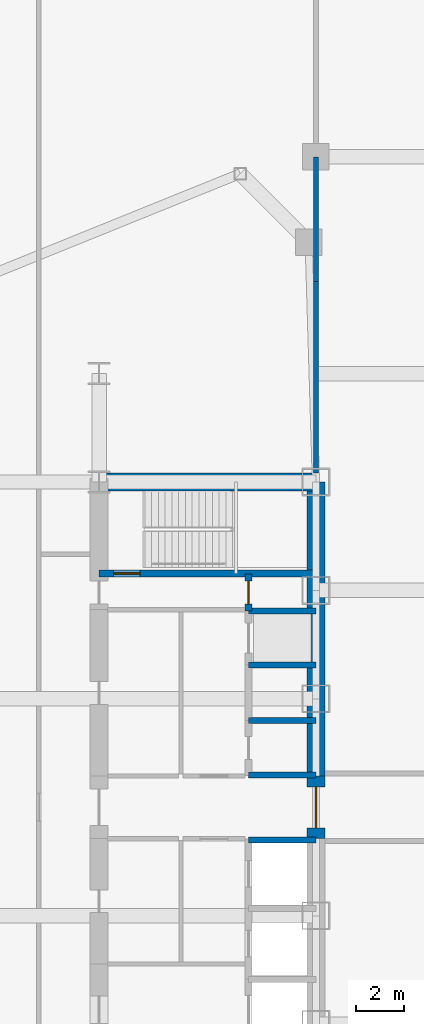
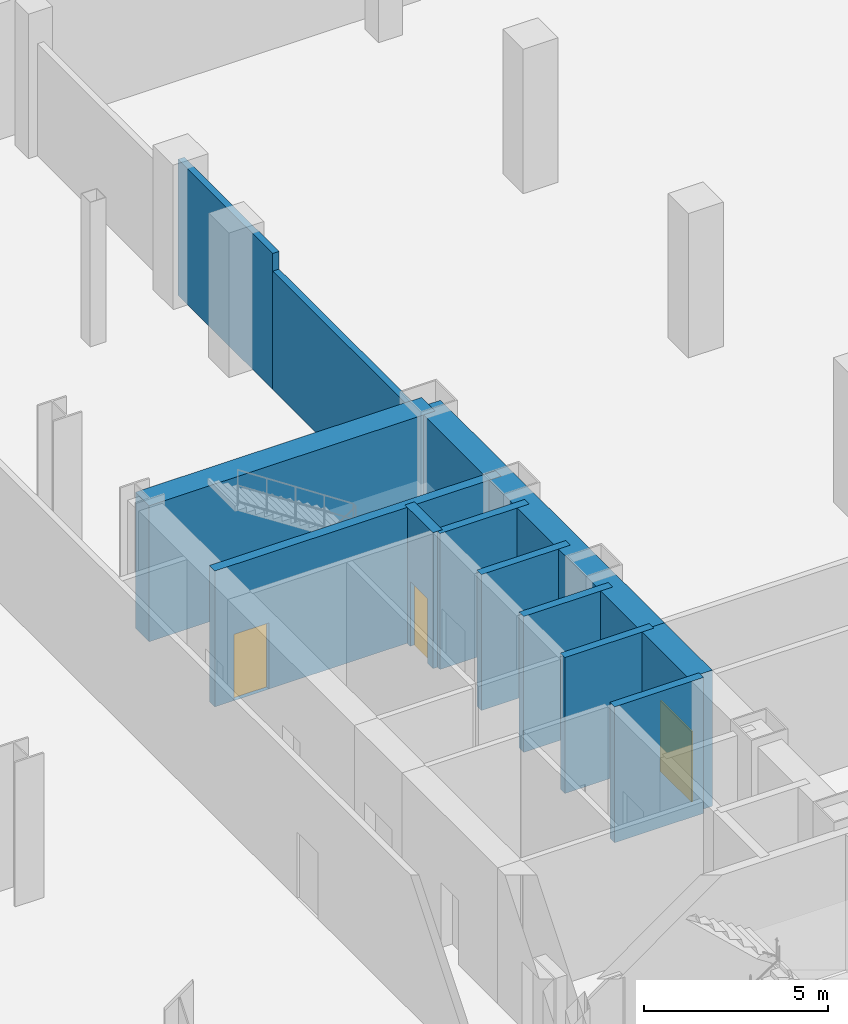
# One storey, part 10 of 18: 12 walls, 3 doors, 3 openings.
"""IFC4 building model written with IfcOpenShell, lengths in metres."""

from ifc_helpers import new_model, si_unit, direction, frame, frame_2d, origin, place, context, subcontext, project, spatial, rectangle, extrude, source, transform, mapped, material, layer, layer_set, type_object, type_shapes, element, fill, save


model = new_model("IFC4")

# Units and contexts
model_context = context("Model", 3, precision=1e-05, world=origin(), true_north=direction((0.0, 1.0)))
body_context = subcontext(model_context, "Body", "Model", "MODEL_VIEW")
ifc_project = project(units=[si_unit("LENGTHUNIT", "METRE"), si_unit("AREAUNIT", "SQUARE_METRE"), si_unit("VOLUMEUNIT", "CUBIC_METRE"), si_unit("PLANEANGLEUNIT", "RADIAN"), si_unit("MASSUNIT", "GRAM", prefix="KILO")], contexts=[model_context])

# Site, building, storey
site_placement = place(None, origin())
site = spatial("IfcSite", under=ifc_project, at=site_placement, CompositionType="ELEMENT")
building_placement = place(site_placement, origin())
building = spatial("IfcBuilding", under=site, at=building_placement, Name="Seokmaru Belvedere", CompositionType="ELEMENT")
storey_placement = place(building_placement, frame((0.0, 0.0, -4.800048828125)))
storey = spatial("IfcBuildingStorey", under=building, at=storey_placement, Name="B1", CompositionType="ELEMENT", Elevation=-4.800048828125)

# Walls
ifc_material_1 = material(Name="Concrete C50 (50 MPa)", Category="concrete")
ifc_layer_1 = layer(ifc_material_1, 0.25)
ifc_layer_set_1 = layer_set([ifc_layer_1], Name="Concrete C50 (50 MPa)")
wall_type_1 = type_object("IfcWallType", Name="Hoistway Transverse Concrete Divider Wall 250", PredefinedType="SHEAR", material=ifc_layer_set_1)
for number, where, z_axis, x_axis, name in (
    (1, (-30.300048828125, -1.35009765625, 0.0), (0.0, 0.0, 1.0), (1.0, 0.0, 0.0), "B1 West Hoistway Divider Core Wall 3"),
    (2, (-30.300048828125, 1.35009765625, 0.0), (0.0, 0.0, 1.0), (1.0, 0.0, 0.0), "B1 West Hoistway Divider Core Wall 4"),
    (3, (-30.300048828125, 3.60009765625, 0.0), (0.0, 0.0, 1.0), (1.0, 0.0, 0.0), "B1 West Hoistway Divider Core Wall 5"),
    (4, (-30.300048828125, 5.89990234375, 0.0), (0.0, 0.0, 1.0), (1.0, 0.0, 0.0), "B1 West Hoistway Divider Core Wall 6"),
    (5, (-30.300048828125, 8.14990234375, 0.0), (0.0, 0.0, 1.0), (1.0, 0.0, 0.0), "B1 West Hoistway Divider Core Wall 7"),
):
    element("IfcWall", number, at=place(storey_placement, frame(where, z_axis=z_axis, x_axis=x_axis)), inside=storey, type_object=wall_type_1, Name=name, PredefinedType="SHEAR", context=body_context, shape_type="SweptSolid", body=[
        extrude(rectangle(XDim=2.800048828125, YDim=0.25, at=frame_2d((1.39990234375, 0.0))), origin(), (0.0, 0.0, 1.0), 4.52001953125),
    ])
ifc_material_2 = material(Name="Fire-Rated Gypsum Shaftwall")
ifc_layer_2 = layer(ifc_material_2, 0.199951171875)
ifc_layer_set_2 = layer_set([ifc_layer_2], Name="Fire-Rated Gypsum Shaftwall")
wall_type_2 = type_object("IfcWallType", Name="Inter-Tenancy Fire Compartment Partition 200", PredefinedType="PARTITIONING", material=ifc_layer_set_2)
wall_1_placement = place(storey_placement, frame((-27.5, 13.8798828125, 0.0), z_axis=(0.0, 0.0, 1.0), x_axis=(0.0, 1.0, 0.0)))
element("IfcWall", 6, at=wall_1_placement, inside=storey, type_object=wall_type_2, Name="B1 Interior Partition 010", PredefinedType="PARTITIONING", context=body_context, shape_type="SweptSolid", body=[
    extrude(rectangle(XDim=7.9326171875, YDim=0.199951171875, at=frame_2d((3.96630859375, 0.0))), origin(), (0.0, 0.0, 1.0), 3.93212890625),
])
wall_2_placement = place(storey_placement, frame((-27.5, 21.8125, 0.0), z_axis=(0.0, 0.0, 1.0), x_axis=(0.0, 1.0, 0.0)))
element("IfcWall", 7, at=wall_2_placement, inside=storey, type_object=wall_type_2, Name="B1 Interior Partition 010 Part 2", PredefinedType="PARTITIONING", context=body_context, shape_type="SweptSolid", body=[
    extrude(rectangle(XDim=5.16748046875, YDim=0.199951171875, at=frame_2d((2.583740234375, 0.0))), origin(), (0.0, 0.0, 1.0), 4.52001953125),
])

# Wall, opening, door
ifc_layer_3 = layer(ifc_material_1, 0.300048828125)
ifc_layer_set_3 = layer_set([ifc_layer_3], Name="Concrete C50 (50 MPa)")
wall_type_3 = type_object("IfcWallType", Name="Internal Core Stair and Hoistway Wall 300", PredefinedType="SHEAR", material=ifc_layer_set_3)
wall_3_placement = place(storey_placement, frame((-36.5, 9.699951171875, 0.0), z_axis=(0.0, 0.0, 1.0), x_axis=(1.0, 0.0, 0.0)))
wall_3 = element("IfcWall", 8, at=wall_3_placement, inside=storey, type_object=wall_type_3, Name="B1 West Stair ST-2 Enclosure Wall", PredefinedType="SHEAR", context=body_context, shape_type="SweptSolid", body=[
    extrude(rectangle(XDim=9.0, YDim=0.300048828125, at=frame_2d((4.5, 0.0))), origin(), (0.0, 0.0, 1.0), 4.52001953125),
])
opening_1_placement = place(wall_3_placement, frame((0.60009765625, 0.0, 0.0)))
opening_1 = element("IfcOpeningElement", 9, at=opening_1_placement, cuts=wall_3, Name="Opening D01", PredefinedType="OPENING", context=body_context, shape_type="SweptSolid", body=[
    extrude(rectangle(XDim=1.10009765625, YDim=2.199951171875, at=frame_2d((0.550048828125, 1.10009765625))), frame((0.0, 0.16015625, 0.0), z_axis=(0.0, -1.0, 0.0), x_axis=(1.0, 0.0, 0.0)), (0.0, 0.0, 1.0), 0.320068359375),
])
ifc_material_3 = material(Name="Fire-Rated Steel Leaf", Category="steel")
door_type_1 = type_object("IfcDoorType", Name="Special Escape Stair Smokeproof Fire Door 1100x2200", OperationType="NOTDEFINED", PredefinedType="DOOR", material=ifc_material_3)
shared_shape_1 = source(origin(), body_context, "Body", "SweptSolid", [
    extrude(rectangle(XDim=1.10009765625, YDim=2.199951171875, at=frame_2d((0.550048828125, 1.10009765625))), frame((0.0, 0.02490234375, 0.0), z_axis=(0.0, -1.0, 0.0), x_axis=(1.0, 0.0, 0.0)), (0.0, 0.0, 1.0), 0.050048828125),
])
type_shapes(door_type_1, [shared_shape_1])
door_1_placement = place(opening_1_placement, origin())
door_1 = element("IfcDoor", 10, at=door_1_placement, inside=storey, type_object=door_type_1, Name="B1 West Special Escape Stair ST-2 Door", OperationType="SINGLE_SWING_RIGHT", OverallHeight=2.199951171875, OverallWidth=1.10009765625, PredefinedType="DOOR", context=body_context, shape_type="MappedRepresentation", body=[
    mapped(shared_shape_1, transform((0.0, 0.0, 0.0), scale=1.0)),
])
fill(opening_1, door_1)

wall_4_placement = place(storey_placement, frame((-30.300048828125, 8.14990234375, 0.0), z_axis=(0.0, 0.0, 1.0), x_axis=(0.0, 1.0, 0.0)))
wall_4 = element("IfcWall", 11, at=wall_4_placement, inside=storey, type_object=wall_type_3, Name="B1 West Electrical Riser Front Wall", PredefinedType="SHEAR", context=body_context, shape_type="SweptSolid", body=[
    extrude(rectangle(XDim=1.530029296875, YDim=0.300048828125, at=frame_2d((0.76513671875, 0.0))), origin(), (0.0, 0.0, 1.0), 4.52001953125),
])
opening_2_placement = place(wall_4_placement, frame((0.284912109375, 0.0, 0.0)))
opening_2 = element("IfcOpeningElement", 12, at=opening_2_placement, cuts=wall_4, Name="Opening D04", PredefinedType="OPENING", context=body_context, shape_type="SweptSolid", body=[
    extrude(rectangle(XDim=0.949951171875, YDim=2.14990234375, at=frame_2d((0.47509765625, 1.074951171875))), frame((0.0, 0.16015625, 0.0), z_axis=(0.0, -1.0, 0.0), x_axis=(1.0, 0.0, 0.0)), (0.0, 0.0, 1.0), 0.320068359375),
])
door_type_2 = type_object("IfcDoorType", Name="Core Service Room Fire Door 950x2150", OperationType="NOTDEFINED", PredefinedType="DOOR", material=ifc_material_3)
shared_shape_2 = source(origin(), body_context, "Body", "SweptSolid", [
    extrude(rectangle(XDim=0.949951171875, YDim=2.14990234375, at=frame_2d((0.47509765625, 1.074951171875))), frame((0.0, 0.02490234375, 0.0), z_axis=(0.0, -1.0, 0.0), x_axis=(1.0, 0.0, 0.0)), (0.0, 0.0, 1.0), 0.050048828125),
])
type_shapes(door_type_2, [shared_shape_2])
door_2_placement = place(opening_2_placement, origin())
door_2 = element("IfcDoor", 13, at=door_2_placement, inside=storey, type_object=door_type_2, Name="B1 West Electrical Riser Access Door", OperationType="SINGLE_SWING_LEFT", OverallHeight=2.14990234375, OverallWidth=0.949951171875, PredefinedType="DOOR", context=body_context, shape_type="MappedRepresentation", body=[
    mapped(shared_shape_2, transform((0.0, 0.0, 0.0), scale=1.0)),
])
fill(opening_2, door_2)

# Wall
ifc_material_4 = material(Name="Concrete C60 (60 MPa)", Category="concrete")
ifc_layer_4 = layer(ifc_material_4, 0.75)
ifc_layer_set_4 = layer_set([ifc_layer_4], Name="Concrete C60 (60 MPa)")
wall_type_4 = type_object("IfcWallType", Name="Lower Tower Reinforced Concrete Core Wall 750", PredefinedType="SHEAR", material=ifc_layer_set_4)
wall_5_placement = place(storey_placement, frame((-27.5, 1.300048828125, 0.0), z_axis=(0.0, 0.0, 1.0), x_axis=(0.0, 1.0, 0.0)))
element("IfcWall", 14, at=wall_5_placement, inside=storey, type_object=wall_type_4, Name="B1 West Portal Spine Core Wall North", PredefinedType="SHEAR", context=body_context, shape_type="SweptSolid", body=[
    extrude(rectangle(XDim=12.199951171875, YDim=0.75, at=frame_2d((6.10009765625, 0.0))), origin(), (0.0, 0.0, 1.0), 4.52001953125),
])

# Wall, opening, door
wall_6_placement = place(storey_placement, frame((-27.5, -1.300048828125, 0.0), z_axis=(0.0, 0.0, 1.0), x_axis=(0.0, 1.0, 0.0)))
wall_6 = element("IfcWall", 15, at=wall_6_placement, inside=storey, type_object=wall_type_4, Name="B1 West Portal Spine Core Wall Center", PredefinedType="SHEAR", context=body_context, shape_type="SweptSolid", body=[
    extrude(rectangle(XDim=2.60009765625, YDim=0.75, at=frame_2d((1.300048828125, 0.0))), origin(), (0.0, 0.0, 1.0), 4.52001953125),
])
opening_3_placement = place(wall_6_placement, frame((0.449951171875, 0.0, 0.0)))
opening_3 = element("IfcOpeningElement", 16, at=opening_3_placement, cuts=wall_6, Name="Opening D09", PredefinedType="OPENING", context=body_context, shape_type="SweptSolid", body=[
    extrude(rectangle(XDim=1.699951171875, YDim=2.35009765625, at=frame_2d((0.85009765625, 1.175048828125))), frame((0.0, 0.385009765625, 0.0), z_axis=(0.0, -1.0, 0.0), x_axis=(1.0, 0.0, 0.0)), (0.0, 0.0, 1.0), 0.77001953125),
])
door_type_3 = type_object("IfcDoorType", Name="Sky-Gate Bridge Inter-Tower Fire Door 1700x2350", OperationType="DOUBLE_SWING_LEFT", PredefinedType="DOOR", material=ifc_material_3)
shared_shape_3 = source(origin(), body_context, "Body", "SweptSolid", [
    extrude(rectangle(XDim=1.699951171875, YDim=2.35009765625, at=frame_2d((0.85009765625, 1.175048828125))), frame((0.0, 0.02490234375, 0.0), z_axis=(0.0, -1.0, 0.0), x_axis=(1.0, 0.0, 0.0)), (0.0, 0.0, 1.0), 0.050048828125),
])
type_shapes(door_type_3, [shared_shape_3])
door_3_placement = place(opening_3_placement, origin())
door_3 = element("IfcDoor", 17, at=door_3_placement, inside=storey, type_object=door_type_3, Name="B1 West Inter-Tower Fire Door", OperationType="DOUBLE_SWING_LEFT", OverallHeight=2.35009765625, OverallWidth=1.699951171875, PredefinedType="DOOR", context=body_context, shape_type="MappedRepresentation", body=[
    mapped(shared_shape_3, transform((0.0, 0.0, 0.0), scale=1.0)),
])
fill(opening_3, door_3)

# Wall
wall_7_placement = place(storey_placement, frame((-36.5, 13.5, 0.0), z_axis=(0.0, 0.0, 1.0), x_axis=(1.0, 0.0, 0.0)))
element("IfcWall", 18, at=wall_7_placement, inside=storey, type_object=wall_type_4, Name="B1 West North Core Wall", PredefinedType="SHEAR", context=body_context, shape_type="SweptSolid", body=[
    extrude(rectangle(XDim=9.0, YDim=0.75, at=frame_2d((4.5, 0.0))), origin(), (0.0, 0.0, 1.0), 4.52001953125),
])

save(model, "model.ifc")
